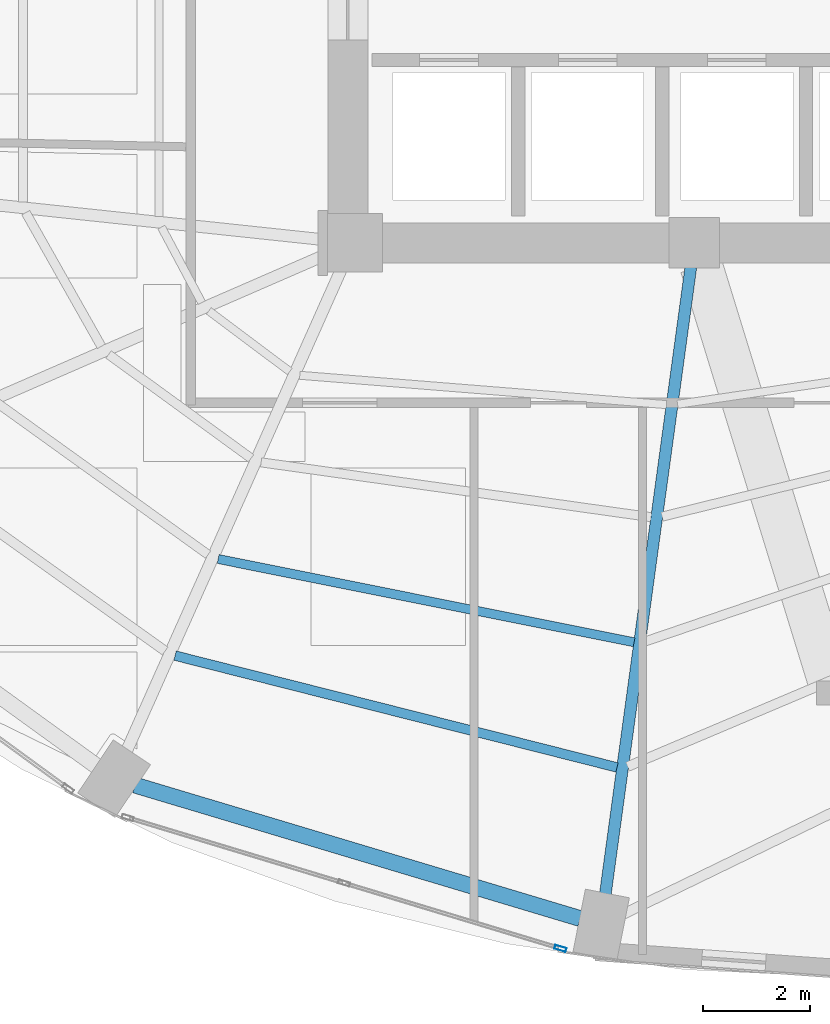
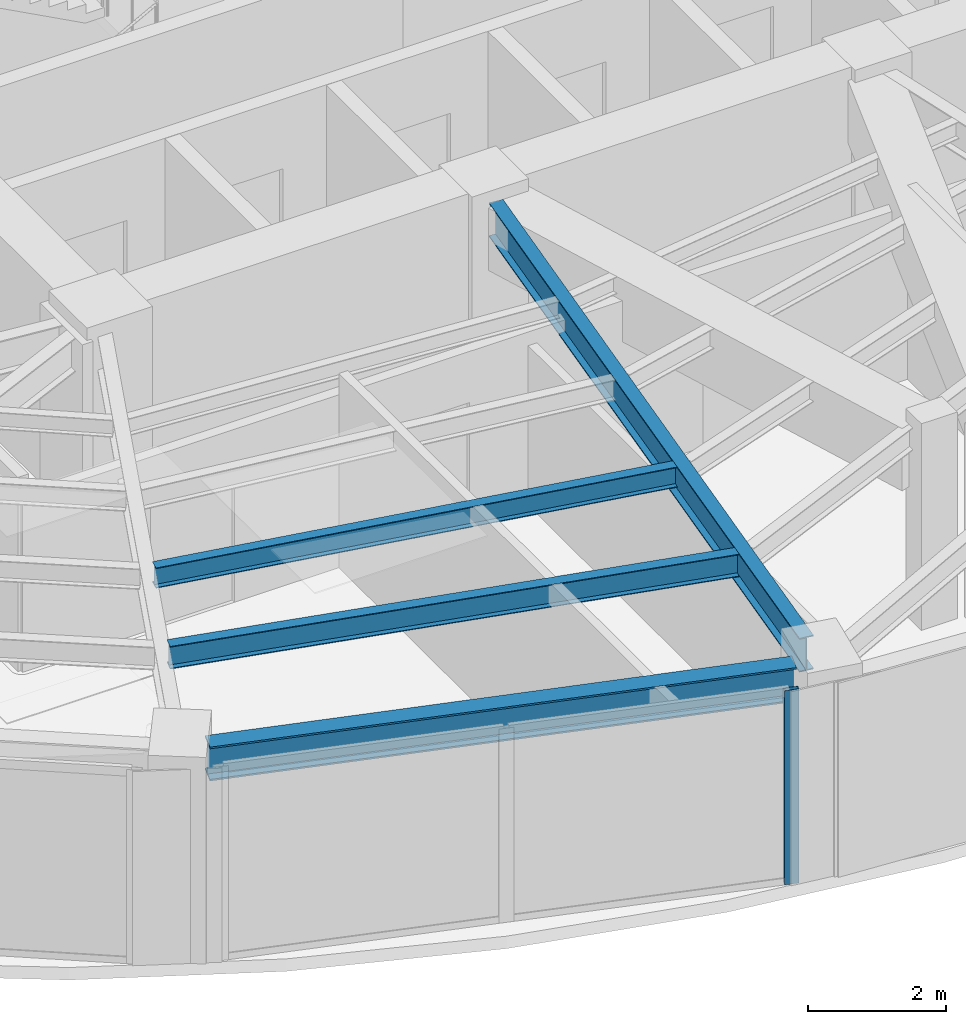
# One storey, part 5 of 24: 4 beams, 1 member, 1 element without a shape of its own.
"""IFC4 building model written with IfcOpenShell, lengths in metres."""

from ifc_helpers import new_model, si_unit, direction, frame, origin, origin_2d, place, context, subcontext, project, spatial, hollow_rectangle, i_section, extrude, material, layer, layer_set, material_profile, profile_set, type_object, element, aggregate, save


model = new_model("IFC4")

# Units and contexts
model_context = context("Model", 3, precision=1e-05, world=origin(), true_north=direction((0.0, 1.0)))
body_context = subcontext(model_context, "Body", "Model", "MODEL_VIEW")
ifc_project = project(units=[si_unit("LENGTHUNIT", "METRE"), si_unit("AREAUNIT", "SQUARE_METRE"), si_unit("VOLUMEUNIT", "CUBIC_METRE"), si_unit("PLANEANGLEUNIT", "RADIAN"), si_unit("MASSUNIT", "GRAM", prefix="KILO")], contexts=[model_context])

# Site, building, storey
site_placement = place(None, origin())
site = spatial("IfcSite", under=ifc_project, at=site_placement, CompositionType="ELEMENT")
building_placement = place(site_placement, origin())
building = spatial("IfcBuilding", under=site, at=building_placement, Name="Lazwardi Medical Tower", CompositionType="ELEMENT")
storey_placement = place(building_placement, frame((0.0, 0.0, 118.22412109375)))
storey = spatial("IfcBuildingStorey", under=building, at=storey_placement, Name="L30", CompositionType="ELEMENT", Elevation=118.22412109375)

# Beams
ifc_material_1 = material(Name="Steel S355", Category="steel")
ifc_material_profile_1 = material_profile(ifc_material_1, i_section(OverallWidth=0.300048828125, OverallDepth=0.60009765625, WebThickness=0.015380859375, FlangeThickness=0.030029296875, at=origin_2d()), Name="HEB 600")
ifc_profile_set_1 = profile_set([ifc_material_profile_1], Name="Steel S355")
beam_type_1 = type_object("IfcBeamType", Name="BM-RB-Z2", PredefinedType="BEAM", material=ifc_profile_set_1)
beam_1_placement = place(storey_placement, frame((22.30908203125, 10.224609375, 3.1279296875), z_axis=(0.957879438442, -0.287170648587, 0.0), x_axis=(0.287170648587, 0.957879438442, 0.0)))
element("IfcBeam", 1, at=beam_1_placement, inside=storey, type_object=beam_type_1, Name="Ring beam RB-03 B15 L30", PredefinedType="BEAM", context=body_context, shape_type="SweptSolid", body=[
    extrude(i_section(OverallWidth=0.300048828125, OverallDepth=0.60009765625, WebThickness=0.015380859375, FlangeThickness=0.030029296875, at=origin_2d()), origin(), (0.0, 0.0, 1.0), 8.719970703125),
])
ifc_material_profile_2 = material_profile(ifc_material_1, i_section(OverallWidth=0.219970703125, OverallDepth=0.60009765625, WebThickness=0.011962890625, FlangeThickness=0.01904296875, at=origin_2d()), Name="IPE 600")
ifc_profile_set_2 = profile_set([ifc_material_profile_2], Name="Steel S355")
beam_type_2 = type_object("IfcBeamType", Name="BM-RG-W1", PredefinedType="BEAM", material=ifc_profile_set_2)
beam_2_placement = place(storey_placement, frame((31.1328125, 8.17724609375, 3.1279296875), z_axis=(0.135147148002, 0.990825538825, 0.0), x_axis=(-0.990825538825, 0.135147148002, 0.0)))
element("IfcBeam", 2, at=beam_2_placement, inside=storey, type_object=beam_type_2, Name="Radial girder RG-02 R16 L30", PredefinedType="BEAM", context=body_context, shape_type="SweptSolid", body=[
    extrude(i_section(OverallWidth=0.219970703125, OverallDepth=0.60009765625, WebThickness=0.011962890625, FlangeThickness=0.01904296875, at=origin_2d()), origin(), (0.0, 0.0, 1.0), 11.875732421875),
])
ifc_material_profile_3 = material_profile(ifc_material_1, i_section(OverallWidth=0.179931640625, OverallDepth=0.39990234375, WebThickness=0.008544921875, FlangeThickness=0.013427734375, at=origin_2d()), Name="IPE 400")
ifc_profile_set_3 = profile_set([ifc_material_profile_3], Name="Steel S355")
beam_type_3 = type_object("IfcBeamType", Name="BM-SJ-01", PredefinedType="JOIST", material=ifc_profile_set_3)
beam_3_placement = place(storey_placement, frame((23.060302734375, 12.654296875, 3.227783203125), z_axis=(0.96945186753, -0.245281626997, 0.0), x_axis=(0.245281626997, 0.96945186753, 0.0)))
element("IfcBeam", 3, at=beam_3_placement, inside=storey, type_object=beam_type_3, Name="Secondary joist SJ-01 R1 B15 L30", PredefinedType="JOIST", context=body_context, shape_type="SweptSolid", body=[
    extrude(i_section(OverallWidth=0.179931640625, OverallDepth=0.39990234375, WebThickness=0.008544921875, FlangeThickness=0.013427734375, at=origin_2d()), origin(), (0.0, 0.0, 1.0), 8.552978515625),
])
ifc_material_profile_4 = material_profile(ifc_material_1, i_section(OverallWidth=0.169921875, OverallDepth=0.360107421875, WebThickness=0.008056640625, FlangeThickness=0.0126953125, at=origin_2d()), Name="IPE 360")
ifc_profile_set_4 = profile_set([ifc_material_profile_4], Name="Steel S355")
beam_type_4 = type_object("IfcBeamType", Name="BM-SJ-02", PredefinedType="JOIST", material=ifc_profile_set_4)
beam_4_placement = place(storey_placement, frame((23.8671875, 14.46728515625, 3.247802734375), z_axis=(0.980542906584, -0.196304886203, 0.0), x_axis=(0.196304886203, 0.980542906584, 0.0)))
element("IfcBeam", 4, at=beam_4_placement, inside=storey, type_object=beam_type_4, Name="Secondary joist SJ-02 R2 B15 L30", PredefinedType="JOIST", context=body_context, shape_type="SweptSolid", body=[
    extrude(i_section(OverallWidth=0.169921875, OverallDepth=0.360107421875, WebThickness=0.008056640625, FlangeThickness=0.0126953125, at=origin_2d()), origin(), (0.0, 0.0, 1.0), 7.95947265625),
])

# Curtain wall, member
ifc_material_2 = material(Name="Anodised bronze aluminium and solar control glazing", Category="aluminium")
ifc_layer = layer(ifc_material_2, 0.195068359375)
ifc_layer_set = layer_set([ifc_layer], Name="Anodised bronze aluminium and solar control glazing")
curtain_wall_type = type_object("IfcCurtainWallType", Name="CW-SYS-03", PredefinedType="NOTDEFINED", material=ifc_layer_set)
curtain_wall_placement = place(storey_placement, origin())
curtain_wall = element("IfcCurtainWall", 5, at=curtain_wall_placement, inside=storey, type_object=curtain_wall_type, Name="L30 Unitised bronze curtain wall CW-03", PredefinedType="NOTDEFINED")
ifc_material_3 = material(Name="Anodised bronze aluminium", Category="aluminium")
ifc_material_profile_5 = material_profile(ifc_material_3, hollow_rectangle(XDim=0.074951171875, YDim=0.219970703125, WallThickness=0.00390625, at=origin_2d()), Name="ALU-MULLION 220x75x4")
ifc_profile_set_5 = profile_set([ifc_material_profile_5], Name="Anodised bronze aluminium")
member_type = type_object("IfcMemberType", Name="CW-MUL-01", PredefinedType="MULLION", material=ifc_profile_set_5)
member_placement = place(storey_placement, frame((30.289794921875, 7.159912109375, 0.0), z_axis=(0.0, 0.0, 1.0), x_axis=(0.28937381157, 0.957216170558, 0.0)))
member = element("IfcMember", 6, at=member_placement, type_object=member_type, Name="CW-03 mullion 3", PredefinedType="MULLION", context=body_context, shape_type="SweptSolid", body=[
    extrude(hollow_rectangle(XDim=0.074951171875, YDim=0.219970703125, WallThickness=0.00390625, at=origin_2d()), origin(), (0.0, 0.0, 1.0), 3.427978515625),
])
aggregate(curtain_wall, [member])

save(model, "model.ifc")
